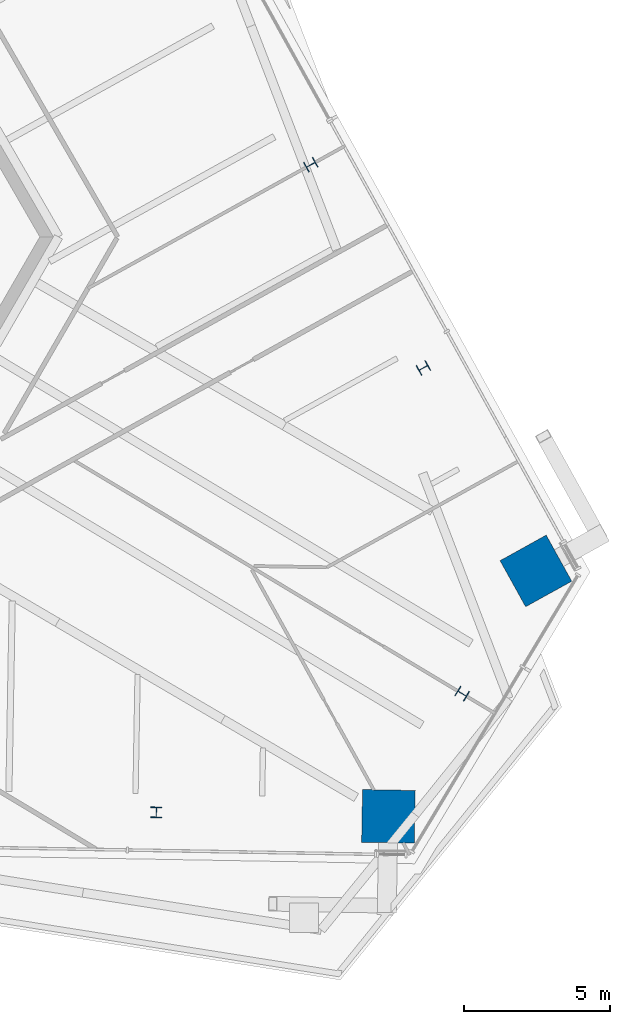
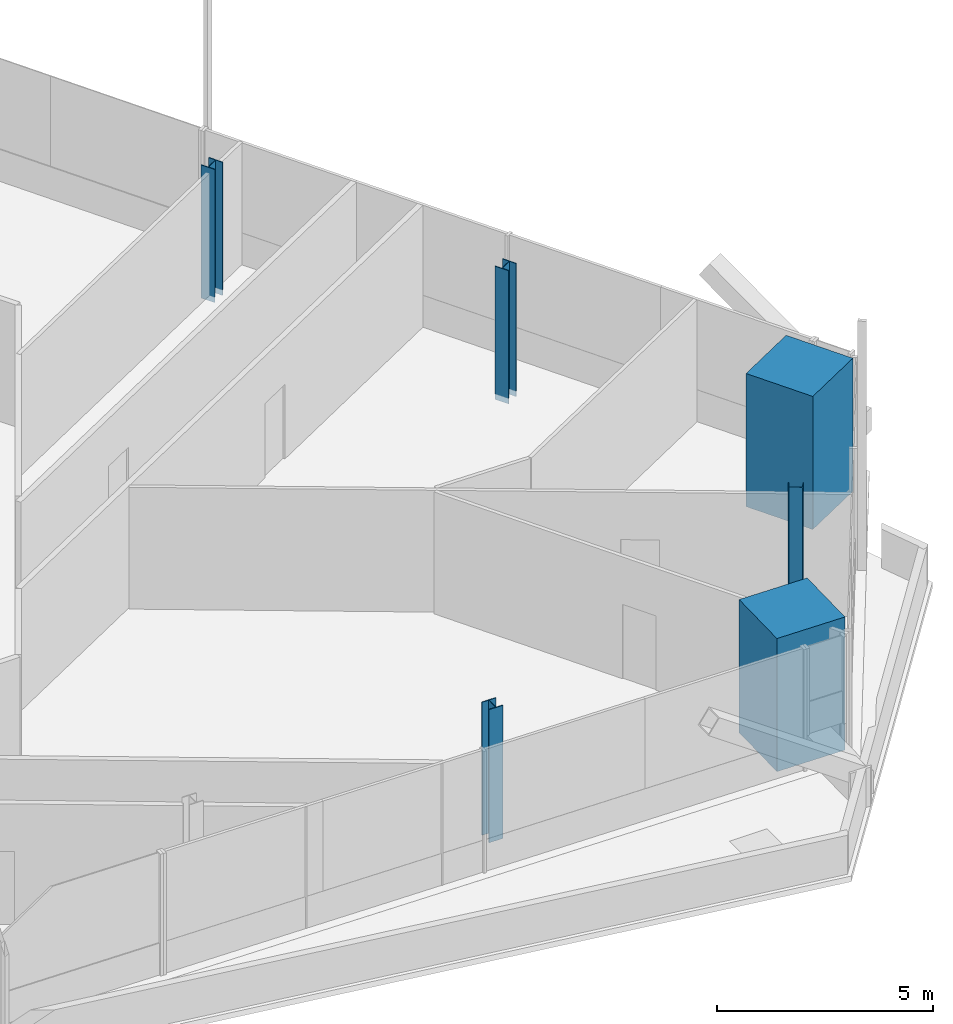
# One storey, part 2 of 22: 6 columns.
"""IFC4 building model written with IfcOpenShell, lengths in metres."""

from ifc_helpers import new_model, si_unit, direction, frame, origin, origin_2d, place, context, subcontext, project, spatial, rectangle, i_section, extrude, source, transform, mapped, material, material_profile, profile_set, type_object, element, save


model = new_model("IFC4")

# Units and contexts
model_context = context("Model", 3, precision=1e-05, world=origin(), true_north=direction((0.0, 1.0)))
body_context = subcontext(model_context, "Body", "Model", "MODEL_VIEW")
ifc_project = project(units=[si_unit("LENGTHUNIT", "METRE"), si_unit("AREAUNIT", "SQUARE_METRE"), si_unit("VOLUMEUNIT", "CUBIC_METRE"), si_unit("PLANEANGLEUNIT", "RADIAN"), si_unit("MASSUNIT", "GRAM", prefix="KILO")], contexts=[model_context])

# Site, building, storey
site_placement = place(None, origin())
site = spatial("IfcSite", under=ifc_project, at=site_placement, CompositionType="ELEMENT")
building_placement = place(site_placement, origin())
building = spatial("IfcBuilding", under=site, at=building_placement, Name="Triune Harvest Tower", CompositionType="ELEMENT")
storey_placement = place(building_placement, frame((0.0, 0.0, 179.89990234375)))
storey = spatial("IfcBuildingStorey", under=building, at=storey_placement, Name="L46", CompositionType="ELEMENT", Elevation=179.89990234375)

# Columns
ifc_material_1 = material(Name="Concrete 70 MPa", Category="concrete")
ifc_material_profile_1 = material_profile(ifc_material_1, rectangle(XDim=1.800048828125, YDim=1.800048828125, at=origin_2d()), Name="Composite 1800x1800")
ifc_profile_set_1 = profile_set([ifc_material_profile_1], Name="Concrete 70 MPa")
column_type_1 = type_object("IfcColumnType", Name="MC-5 Mega column Composite 1800x1800", PredefinedType="COLUMN", material=ifc_profile_set_1)
shared_shape_1 = source(origin(), body_context, "Body", "SweptSolid", [
    extrude(rectangle(XDim=1.800048828125, YDim=1.800048828125, at=origin_2d()), origin(), (0.0, 0.0, 1.0), 3.760009765625),
])
for number, where, z_axis, x_axis, name in (
    (1, (28.475341796875, -11.40673828125, -0.159912109375), (0.0, 0.0, 1.0), (-0.484809620246, 0.874619707139, 0.0), "col/L46/M0"),
    (2, (23.43994140625, -19.787109375, -0.159912109375), (0.0, 0.0, 1.0), (0.999847695156, -0.017452406437, 0.0), "col/L46/M22"),
):
    element("IfcColumn", number, at=place(storey_placement, frame(where, z_axis=z_axis, x_axis=x_axis)), inside=storey, type_object=column_type_1, Name=name, PredefinedType="COLUMN", context=body_context, shape_type="MappedRepresentation", body=[
        mapped(shared_shape_1, transform((0.0, 0.0, 0.0), scale=1.0)),
    ])
ifc_material_2 = material(Name="Steel ASTM A992 Gr 50", Category="steel")
ifc_material_profile_2 = material_profile(ifc_material_2, i_section(OverallWidth=0.370849609375, OverallDepth=0.36328125, WebThickness=0.013427734375, FlangeThickness=0.021728515625, at=origin_2d()), Name="W14x109")
ifc_profile_set_2 = profile_set([ifc_material_profile_2], Name="Steel ASTM A992 Gr 50")
column_type_2 = type_object("IfcColumnType", Name="PC-5 Perimeter column W14x109", PredefinedType="COLUMN", material=ifc_profile_set_2)
shared_shape_2 = source(origin(), body_context, "Body", "SweptSolid", [
    extrude(i_section(OverallWidth=0.370849609375, OverallDepth=0.36328125, WebThickness=0.013427734375, FlangeThickness=0.021728515625, at=origin_2d()), origin(), (0.0, 0.0, 1.0), 3.760009765625),
])
for number, where, z_axis, x_axis, name in (
    (3, (24.632080078125, -4.473388671875, -0.159912109375), (0.0, 0.0, 1.0), (-0.484809620246, 0.874619707139, 0.0), "col/L46/P1"),
    (4, (20.788818359375, 2.459716796875, -0.159912109375), (0.0, 0.0, 1.0), (-0.484809620246, 0.874619707139, 0.0), "col/L46/P2"),
    (5, (15.513916015625, -19.648681640625, -0.159912109375), (0.0, 0.0, 1.0), (0.999847695156, -0.017452406437, 0.0), "col/L46/P21"),
    (6, (25.95751953125, -15.596923828125, -0.159912109375), (0.0, 0.0, 1.0), (0.515039570948, 0.85716640179, 0.0), "col/L46/P23"),
):
    element("IfcColumn", number, at=place(storey_placement, frame(where, z_axis=z_axis, x_axis=x_axis)), inside=storey, type_object=column_type_2, Name=name, PredefinedType="COLUMN", context=body_context, shape_type="MappedRepresentation", body=[
        mapped(shared_shape_2, transform((0.0, 0.0, 0.0), scale=1.0)),
    ])

save(model, "model.ifc")
